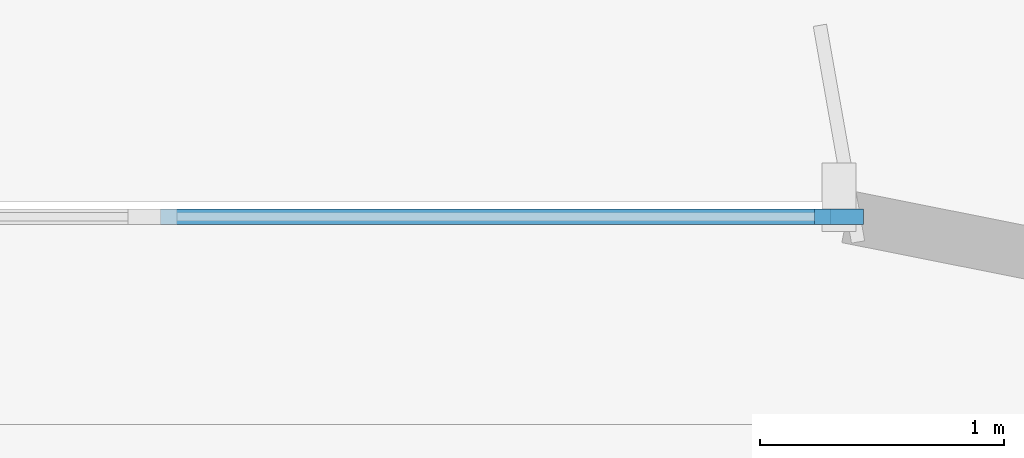
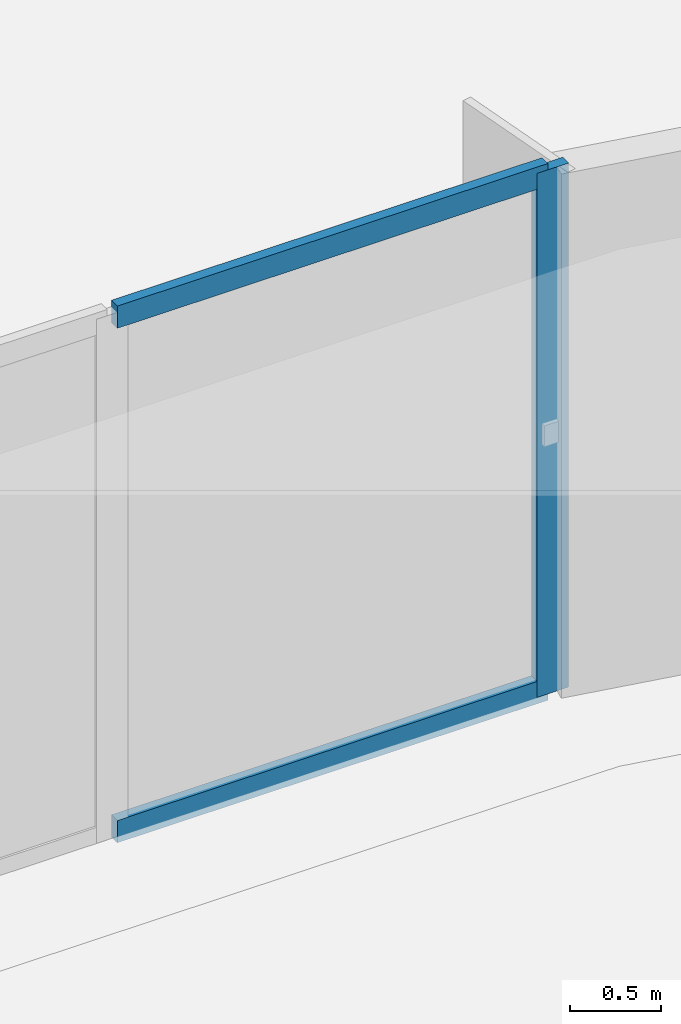
# One storey, part 8 of 17: 3 members, 1 element without a shape of its own.
"""IFC4 building model written with IfcOpenShell, lengths in metres."""

import ifcopenshell
import ifcopenshell.guid

model = None  # the IFC model being written
_history = None  # IfcOwnerHistory: only IFC2X3 demands one
_inside = {}  # id of a spatial element -> (the spatial element, [elements in it])
_under = {}  # id of a project, library or spatial element -> (it, [spatial elements below it])
_declared = {}  # id of a project -> (the project, [libraries it declares])
_typed = {}  # id of a type object -> (the type object, [elements of that type])
_made_of = {}  # id of a material, layer set ... -> (it, [elements and type objects made of it])


def new_model(schema):
    """Start an empty IFC model of exactly this schema.

    Asked for "IFC4X3", IfcOpenShell would pick the latest addendum, in which some entities
    have other attributes; the version numbers below select the first issue.
    IFC2X3 requires an IfcOwnerHistory on every rooted entity: one is made here for all.
    """
    global model, _history
    if schema == "IFC4X3":
        model = ifcopenshell.file(schema_version=(4, 3, 0, 0))
    else:
        model = ifcopenshell.file(schema=schema)
    _inside.clear()
    _under.clear()
    _declared.clear()
    _typed.clear()
    _made_of.clear()
    _history = None
    if model.schema == "IFC2X3":
        org = make("IfcOrganization", Name="unknown")
        user = make(
            "IfcPersonAndOrganization",
            ThePerson=make("IfcPerson", FamilyName="unknown"),
            TheOrganization=org,
        )
        app = make(
            "IfcApplication",
            ApplicationDeveloper=org,
            Version="unknown",
            ApplicationFullName="unknown",
            ApplicationIdentifier="unknown",
        )
        _history = make(
            "IfcOwnerHistory",
            OwningUser=user,
            OwningApplication=app,
            ChangeAction="ADDED",
            CreationDate=0,
        )
    return model


def make(cls, **values):
    """One entity of the class cls with the attributes given. An attribute that is None is left unset."""
    return model.create_entity(
        cls, **{name: value for name, value in values.items() if value is not None}
    )


def rooted(cls, **values):
    """An entity with a GlobalId (a new one), such as an element, a storey or a relation."""
    return make(cls, GlobalId=ifcopenshell.guid.new(), OwnerHistory=_history, **values)


def si_unit(unit_type, name, prefix=None):
    """IfcSIUnit, for example si_unit("LENGTHUNIT", "METRE", prefix="MILLI")."""
    return make("IfcSIUnit", UnitType=unit_type, Prefix=prefix, Name=name)


def assignment(units):
    """IfcUnitAssignment: the units of a project."""
    return None if units is None else make("IfcUnitAssignment", Units=units)


def point(xyz):
    """IfcCartesianPoint."""
    return None if xyz is None else make("IfcCartesianPoint", Coordinates=xyz)


def direction(xyz):
    """IfcDirection."""
    return None if xyz is None else make("IfcDirection", DirectionRatios=xyz)


def frame(location, z_axis=None, x_axis=None):
    """IfcAxis2Placement3D, a coordinate frame: its origin and axes. An axis left out is left unset."""
    return make(
        "IfcAxis2Placement3D",
        Location=point(location),
        Axis=direction(z_axis),
        RefDirection=direction(x_axis),
    )


def frame_2d(location, x_axis=None):
    """IfcAxis2Placement2D, a coordinate frame in the plane: its origin and x axis."""
    return make(
        "IfcAxis2Placement2D", Location=point(location), RefDirection=direction(x_axis)
    )


def origin():
    """The frame at (0, 0, 0) with its axes left unset."""
    return frame((0.0, 0.0, 0.0))


def origin_2d():
    """The frame at (0, 0) in the plane with its x axis left unset."""
    return frame_2d((0.0, 0.0))


def place(relative_to, where):
    """IfcLocalPlacement: puts the frame where relative to a parent placement (None: the world)."""
    return make(
        "IfcLocalPlacement", PlacementRelTo=relative_to, RelativePlacement=where
    )


def context(
    kind, dimensions, precision=None, world=None, true_north=None, identifier=None
):
    """IfcGeometricRepresentationContext, for example the 3D "Model" context."""
    return make(
        "IfcGeometricRepresentationContext",
        ContextIdentifier=identifier,
        ContextType=kind,
        CoordinateSpaceDimension=dimensions,
        Precision=precision,
        WorldCoordinateSystem=world,
        TrueNorth=true_north,
    )


def subcontext(parent, identifier, kind, view, scale=None):
    """IfcGeometricRepresentationSubContext, for example "Body" below "Model"."""
    return make(
        "IfcGeometricRepresentationSubContext",
        ContextIdentifier=identifier,
        ContextType=kind,
        ParentContext=parent,
        TargetScale=scale,
        TargetView=view,
    )


def project(units=None, contexts=None):
    """IfcProject with its units and contexts."""
    return rooted(
        "IfcProject",
        Name="project",
        RepresentationContexts=contexts,
        UnitsInContext=assignment(units),
    )


def spatial(cls, under=None, at=None, **own):
    """A site, building, storey or space (cls), placed at a placement, below another one or the project."""
    s = rooted(cls, ObjectPlacement=at, **own)
    if under is not None:
        _under.setdefault(under.id(), (under, []))[1].append(s)
    return s


def profile(cls, at=None, kind="AREA", **sizes):
    """A parametric profile (cls). Its sizes go by their IFC names, for example OverallWidth=200.0."""
    return make(cls, ProfileType=kind, Position=at, **sizes)


def rectangle(**sizes):
    """IfcRectangleProfileDef."""
    return profile("IfcRectangleProfileDef", **sizes)


def extrude(swept, where, along, depth):
    """IfcExtrudedAreaSolid: the profile swept, set in the frame where, extruded along a direction by depth."""
    return make(
        "IfcExtrudedAreaSolid",
        SweptArea=swept,
        Position=where,
        ExtrudedDirection=direction(along),
        Depth=depth,
    )


def shape(context_of_items, identifier, shape_type, items):
    """IfcShapeRepresentation: the items that make up one representation, for example the "Body"."""
    return make(
        "IfcShapeRepresentation",
        ContextOfItems=context_of_items,
        RepresentationIdentifier=identifier,
        RepresentationType=shape_type,
        Items=items,
    )


def source(mapping_origin, context_of_items, identifier, shape_type, items):
    """IfcRepresentationMap: a shape defined once, which mapped items show again and again."""
    return make(
        "IfcRepresentationMap",
        MappingOrigin=mapping_origin,
        MappedRepresentation=shape(context_of_items, identifier, shape_type, items),
    )


def transform(
    local_origin,
    x_axis=None,
    y_axis=None,
    z_axis=None,
    scale=None,
    scale2=None,
    scale3=None,
    uniform=True,
):
    """IfcCartesianTransformationOperator3D, or its non-uniform kind. x_axis, y_axis, z_axis: its Axis1, 2, 3."""
    if uniform:
        return make(
            "IfcCartesianTransformationOperator3D",
            Axis1=direction(x_axis),
            Axis2=direction(y_axis),
            LocalOrigin=point(local_origin),
            Scale=scale,
            Axis3=direction(z_axis),
        )
    return make(
        "IfcCartesianTransformationOperator3DnonUniform",
        Axis1=direction(x_axis),
        Axis2=direction(y_axis),
        LocalOrigin=point(local_origin),
        Scale=scale,
        Axis3=direction(z_axis),
        Scale2=scale2,
        Scale3=scale3,
    )


def mapped(mapping_source, mapping_target):
    """IfcMappedItem: shows the shape of a source again, moved by a transform."""
    return make(
        "IfcMappedItem", MappingSource=mapping_source, MappingTarget=mapping_target
    )


def material(Name=None, Category=None):
    """IfcMaterial."""
    return make("IfcMaterial", Name=Name, Category=Category)


def layer(
    of_material, thickness, ventilated=None, Name=None, Category=None, Priority=None
):
    """IfcMaterialLayer: one layer of a wall or slab, of a material (None: an air gap)."""
    return make(
        "IfcMaterialLayer",
        Material=of_material,
        LayerThickness=thickness,
        IsVentilated=ventilated,
        Name=Name,
        Category=Category,
        Priority=Priority,
    )


def layer_set(layers, Name=None):
    """IfcMaterialLayerSet."""
    return make("IfcMaterialLayerSet", MaterialLayers=layers, LayerSetName=Name)


def material_profile(
    of_material, cross_section, Name=None, Category=None, Priority=None
):
    """IfcMaterialProfile: a cross section and its material."""
    return make(
        "IfcMaterialProfile",
        Name=Name,
        Material=of_material,
        Profile=cross_section,
        Priority=Priority,
        Category=Category,
    )


def profile_set(profiles, Name=None, composite=None):
    """IfcMaterialProfileSet."""
    return make(
        "IfcMaterialProfileSet",
        Name=Name,
        MaterialProfiles=profiles,
        CompositeProfile=composite,
    )


def made_of(thing, what):
    """Note that an element or type object is made of a material, layer set ...; save() writes the relation."""
    if what is not None:
        _made_of.setdefault(what.id(), (what, []))[1].append(thing)
    return thing


def type_object(cls, material=None, **own):
    """A type object (cls), such as IfcWallType, which elements share."""
    return made_of(rooted(cls, **own), material)


def element(
    cls,
    number,
    at=None,
    inside=None,
    cuts=None,
    type_object=None,
    material=None,
    context=None,
    identifier="Body",
    shape_type=None,
    held_by="IfcProductDefinitionShape",
    body=None,
    shapes=None,
    **own,
):
    """One element of the class cls, such as IfcWall. Its Tag is "e" and its number.

    at: its placement. inside: the storey or other place that contains it. cuts: it is an
    opening in that element (IfcRelVoidsElement). A single representation is given by context,
    identifier, shape_type and body (its items); several are given by shapes. held_by: the class
    of the entity that holds the representations. save() writes the other relations.
    """
    e = rooted(cls, Tag="e%d" % number, ObjectPlacement=at, **own)
    if body is not None:
        shapes = [shape(context, identifier, shape_type, body)]
    if shapes is not None:
        e.Representation = make(held_by, Representations=shapes)
    if inside is not None:
        _inside.setdefault(inside.id(), (inside, []))[1].append(e)
    if cuts is not None:
        rooted(
            "IfcRelVoidsElement", RelatingBuildingElement=cuts, RelatedOpeningElement=e
        )
    if type_object is not None:
        _typed.setdefault(type_object.id(), (type_object, []))[1].append(e)
    return made_of(e, material)


def aggregate(whole, parts):
    """IfcRelAggregates: a whole, such as a stair, and the parts it consists of."""
    return rooted("IfcRelAggregates", RelatingObject=whole, RelatedObjects=parts)


def save(model, path):
    """Write the relations noted so far, then the file.

    IfcRelAggregates (storeys below a building ...), IfcRelContainedInSpatialStructure (elements
    in a storey), IfcRelDefinesByType, IfcRelAssociatesMaterial and IfcRelDeclares: one each for
    every whole, place, type object, material and project.
    """
    for whole, parts in _under.values():
        aggregate(whole, parts)
    for where, things in _inside.values():
        rooted(
            "IfcRelContainedInSpatialStructure",
            RelatedElements=things,
            RelatingStructure=where,
        )
    for kind, things in _typed.values():
        rooted("IfcRelDefinesByType", RelatedObjects=things, RelatingType=kind)
    for what, things in _made_of.values():
        rooted("IfcRelAssociatesMaterial", RelatedObjects=things, RelatingMaterial=what)
    for by, libraries in _declared.values():
        rooted("IfcRelDeclares", RelatingContext=by, RelatedDefinitions=libraries)
    model.write(path)


model = new_model("IFC4")

# Units and contexts
model_context = context("Model", 3, precision=1e-05, world=origin(), true_north=direction((0.0, 1.0)))
body_context = subcontext(model_context, "Body", "Model", "MODEL_VIEW")
ifc_project = project(units=[si_unit("LENGTHUNIT", "METRE"), si_unit("AREAUNIT", "SQUARE_METRE"), si_unit("VOLUMEUNIT", "CUBIC_METRE"), si_unit("PLANEANGLEUNIT", "RADIAN"), si_unit("MASSUNIT", "GRAM", prefix="KILO")], contexts=[model_context])

# Site, building, storey
site_placement = place(None, origin())
site = spatial("IfcSite", under=ifc_project, at=site_placement, CompositionType="ELEMENT")
building_placement = place(site_placement, origin())
building = spatial("IfcBuilding", under=site, at=building_placement, Name="Brelvock Crest Care Tower", CompositionType="ELEMENT")
storey_placement = place(building_placement, frame((0.0, 0.0, 27.0)))
storey = spatial("IfcBuildingStorey", under=building, at=storey_placement, Name="L06", CompositionType="ELEMENT", Elevation=27.0)

# Curtain wall, members
ifc_material_1 = material(Name="Dark Glass Double Glazed Low-E", Category="glass")
ifc_layer = layer(ifc_material_1, 0.195068359375, Name="CWS-2")
ifc_layer_set = layer_set([ifc_layer], Name="Dark Glass Double Glazed Low-E")
curtain_wall_type = type_object("IfcCurtainWallType", Name="CWS-2", PredefinedType="NOTDEFINED", material=ifc_layer_set)
curtain_wall_placement = place(storey_placement, origin())
curtain_wall = element("IfcCurtainWall", 1, at=curtain_wall_placement, inside=storey, type_object=curtain_wall_type, Name="L06 Curtain Wall E30", PredefinedType="NOTDEFINED")
ifc_material_2 = material(Name="Aluminium 6063-T6", Category="aluminium")
ifc_material_profile_1 = material_profile(ifc_material_2, rectangle(XDim=0.06494140625, YDim=0.199951171875, at=origin_2d()), Name="ALU65x200")
ifc_profile_set_1 = profile_set([ifc_material_profile_1], Name="Aluminium 6063-T6")
member_type_1 = type_object("IfcMemberType", Name="CWM-1", PredefinedType="MULLION", material=ifc_profile_set_1)
shared_shape_1 = source(origin(), body_context, "Body", "SweptSolid", [
    extrude(rectangle(XDim=0.06494140625, YDim=0.199951171875, at=origin_2d()), origin(), (0.0, 0.0, 1.0), 3.530029296875),
])
member_1_placement = place(storey_placement, frame((56.767578125, 36.0, 0.0), z_axis=(0.0, 0.0, 1.0), x_axis=(0.0, 1.0, 0.0)))
member_1 = element("IfcMember", 2, at=member_1_placement, type_object=member_type_1, Name="CW-2 mullion 6", PredefinedType="MULLION", context=body_context, shape_type="MappedRepresentation", body=[
    mapped(shared_shape_1, transform((0.0, 0.0, 0.0), x_axis=(1.0, 0.0, 0.0), y_axis=(0.0, 1.0, 0.0), z_axis=(0.0, 0.0, 1.0), scale=1.0)),
])
ifc_material_profile_2 = material_profile(ifc_material_2, rectangle(XDim=0.06494140625, YDim=0.14990234375, at=origin_2d()), Name="ALU65x150")
ifc_profile_set_2 = profile_set([ifc_material_profile_2], Name="Aluminium 6063-T6")
member_type_2 = type_object("IfcMemberType", Name="CWT-1", PredefinedType="USERDEFINED", material=ifc_profile_set_2)
shared_shape_2 = source(origin(), body_context, "Body", "SweptSolid", [
    extrude(rectangle(XDim=0.06494140625, YDim=0.14990234375, at=origin_2d()), origin(), (0.0, 0.0, 1.0), 2.74267578125),
])
member_2_placement = place(storey_placement, frame((53.992431640625, 36.0, 0.032470703125), z_axis=(1.0, 0.0, 0.0), x_axis=(0.0, 1.0, 0.0)))
member_2 = element("IfcMember", 3, at=member_2_placement, type_object=member_type_2, Name="CW-2 transom 5.1", ObjectType="TRANSOM", PredefinedType="USERDEFINED", context=body_context, shape_type="MappedRepresentation", body=[
    mapped(shared_shape_2, transform((0.0, 0.0, 0.0), x_axis=(1.0, 0.0, 0.0), y_axis=(0.0, 1.0, 0.0), z_axis=(0.0, 0.0, 1.0), scale=1.0)),
])
member_3_placement = place(storey_placement, frame((53.992431640625, 36.0, 3.49755859375), z_axis=(1.0, 0.0, 0.0), x_axis=(0.0, 1.0, 0.0)))
member_3 = element("IfcMember", 4, at=member_3_placement, type_object=member_type_2, Name="CW-2 transom 5.2", ObjectType="TRANSOM", PredefinedType="USERDEFINED", context=body_context, shape_type="MappedRepresentation", body=[
    mapped(shared_shape_2, transform((0.0, 0.0, 0.0), x_axis=(1.0, 0.0, 0.0), y_axis=(0.0, 1.0, 0.0), z_axis=(0.0, 0.0, 1.0), scale=1.0)),
])
aggregate(curtain_wall, [member_1, member_2, member_3])

save(model, "model.ifc")
